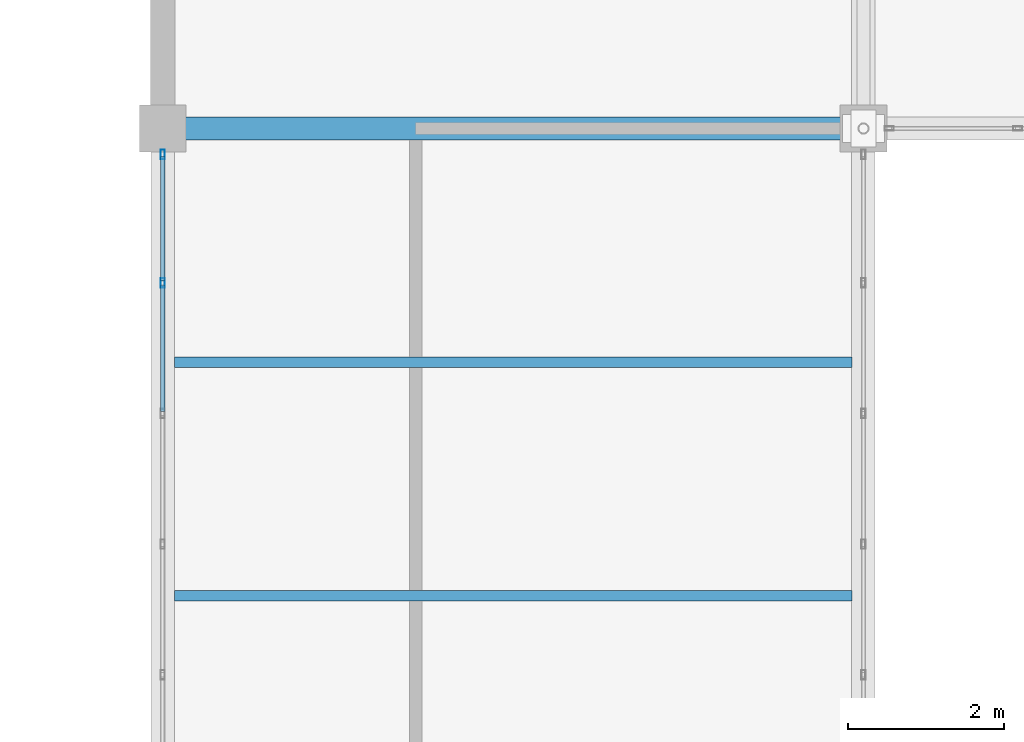
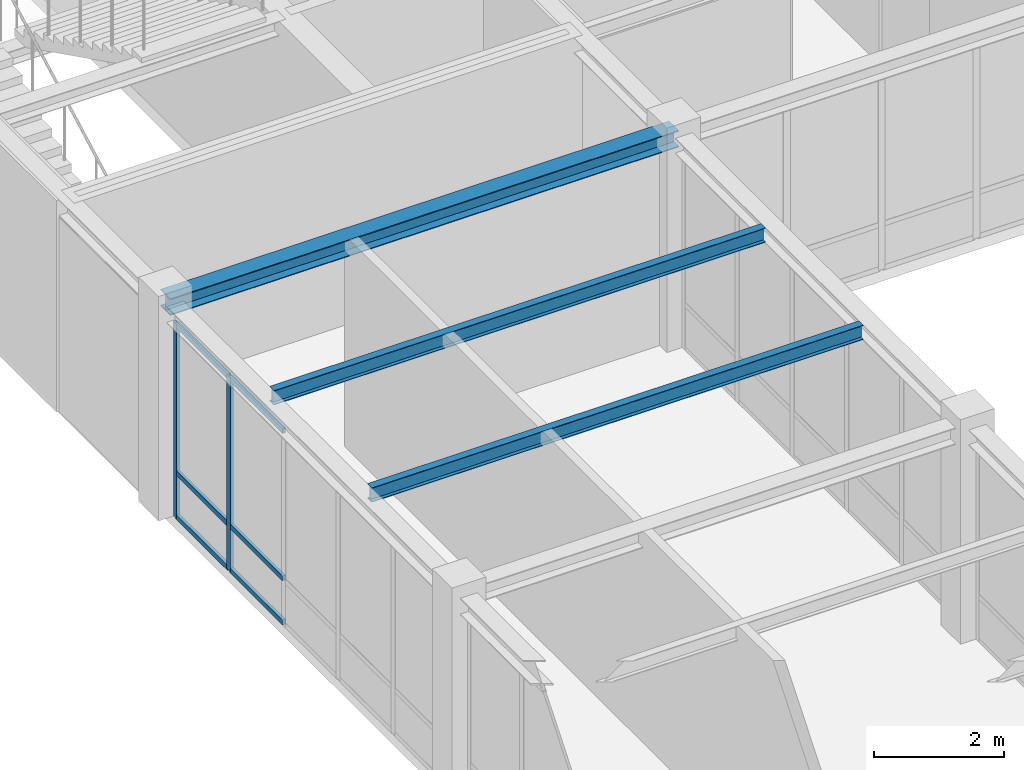
# One storey, part 32 of 130: 8 members, 3 beams, 1 element without a shape of its own.
"""IFC4 building model written with IfcOpenShell, lengths in metres."""

from ifc_helpers import new_model, si_unit, direction, frame, origin, origin_2d, place, context, subcontext, project, spatial, hollow_rectangle, i_section, extrude, material, material_profile, profile_set, type_object, element, aggregate, save


model = new_model("IFC4")

# Units and contexts
model_context = context("Model", 3, precision=1e-05, world=origin(), true_north=direction((0.0, 1.0)))
body_context = subcontext(model_context, "Body", "Model", "MODEL_VIEW")
ifc_project = project(units=[si_unit("LENGTHUNIT", "METRE"), si_unit("AREAUNIT", "SQUARE_METRE"), si_unit("VOLUMEUNIT", "CUBIC_METRE"), si_unit("PLANEANGLEUNIT", "RADIAN"), si_unit("MASSUNIT", "GRAM", prefix="KILO")], contexts=[model_context])

# Site, building, storey
site_placement = place(None, origin())
site = spatial("IfcSite", under=ifc_project, at=site_placement, CompositionType="ELEMENT")
building_placement = place(site_placement, origin())
building = spatial("IfcBuilding", under=site, at=building_placement, Name="Lykobir Media Centre", CompositionType="ELEMENT")
storey_placement = place(building_placement, frame((0.0, 0.0, 19.199951171875)))
storey = spatial("IfcBuildingStorey", under=building, at=storey_placement, Name="L04", CompositionType="ELEMENT", Elevation=19.199951171875)

# Curtain wall, members
ifc_material_1 = material(Name="Anodized Aluminium AW-6060", Category="aluminium")
curtain_wall_type = type_object("IfcCurtainWallType", Name="CW-COURT-B", PredefinedType="NOTDEFINED", material=ifc_material_1)
curtain_wall_placement = place(storey_placement, origin())
curtain_wall = element("IfcCurtainWall", 1, at=curtain_wall_placement, inside=storey, type_object=curtain_wall_type, Name="Curtain wall CW2-L04-0168", PredefinedType="NOTDEFINED")
ifc_material_profile_1 = material_profile(ifc_material_1, hollow_rectangle(XDim=0.054931640625, YDim=0.1201171875, WallThickness=0.003173828125, at=origin_2d()), Name="ALU MULLION 55x120")
ifc_profile_set_1 = profile_set([ifc_material_profile_1], Name="Anodized Aluminium AW-6060")
member_type_1 = type_object("IfcMemberType", Name="CWM-120", PredefinedType="MULLION", material=ifc_profile_set_1)
member_1_placement = place(storey_placement, frame((27.0, 61.01708984375, 0.0), z_axis=(0.0, 0.0, 1.0), x_axis=(-1.0, 0.0, 0.0)))
member_1 = element("IfcMember", 2, at=member_1_placement, type_object=member_type_1, Name="CW2-L04-0168 mullion 5", PredefinedType="MULLION", context=body_context, shape_type="SweptSolid", body=[
    extrude(hollow_rectangle(XDim=0.054931640625, YDim=0.1201171875, WallThickness=0.003173828125, at=origin_2d()), origin(), (0.0, 0.0, 1.0), 3.635009765625),
])
member_2_placement = place(storey_placement, frame((27.0, 62.66748046875, 0.0), z_axis=(0.0, 0.0, 1.0), x_axis=(-1.0, 0.0, 0.0)))
member_2 = element("IfcMember", 3, at=member_2_placement, type_object=member_type_1, Name="CW2-L04-0168 mullion 6", PredefinedType="MULLION", context=body_context, shape_type="SweptSolid", body=[
    extrude(hollow_rectangle(XDim=0.054931640625, YDim=0.1201171875, WallThickness=0.003173828125, at=origin_2d()), origin(), (0.0, 0.0, 1.0), 3.635009765625),
])
ifc_material_profile_2 = material_profile(ifc_material_1, hollow_rectangle(XDim=0.054931640625, YDim=0.094970703125, WallThickness=0.0029296875, at=origin_2d()), Name="ALU TRANSOM 55x95")
ifc_profile_set_2 = profile_set([ifc_material_profile_2], Name="Anodized Aluminium AW-6060")
member_type_2 = type_object("IfcMemberType", Name="CWT-095", PredefinedType="USERDEFINED", material=ifc_profile_set_2)
member_3_placement = place(storey_placement, frame((27.0, 59.366455078125, 0.027587890625), z_axis=(0.0, 1.0, 0.0), x_axis=(-1.0, 0.0, 0.0)))
member_3 = element("IfcMember", 4, at=member_3_placement, type_object=member_type_2, Name="CW2-L04-0168 transom 4.1", ObjectType="TRANSOM", PredefinedType="USERDEFINED", context=body_context, shape_type="SweptSolid", body=[
    extrude(hollow_rectangle(XDim=0.054931640625, YDim=0.094970703125, WallThickness=0.0029296875, at=origin_2d()), origin(), (0.0, 0.0, 1.0), 1.623046875),
])
member_4_placement = place(storey_placement, frame((27.0, 59.366455078125, 0.85009765625), z_axis=(0.0, 1.0, 0.0), x_axis=(-1.0, 0.0, 0.0)))
member_4 = element("IfcMember", 5, at=member_4_placement, type_object=member_type_2, Name="CW2-L04-0168 transom 4.2", ObjectType="TRANSOM", PredefinedType="USERDEFINED", context=body_context, shape_type="SweptSolid", body=[
    extrude(hollow_rectangle(XDim=0.054931640625, YDim=0.094970703125, WallThickness=0.0029296875, at=origin_2d()), origin(), (0.0, 0.0, 1.0), 1.623046875),
])
member_5_placement = place(storey_placement, frame((27.0, 59.366455078125, 3.607666015625), z_axis=(0.0, 1.0, 0.0), x_axis=(-1.0, 0.0, 0.0)))
member_5 = element("IfcMember", 6, at=member_5_placement, type_object=member_type_2, Name="CW2-L04-0168 transom 4.3", ObjectType="TRANSOM", PredefinedType="USERDEFINED", context=body_context, shape_type="SweptSolid", body=[
    extrude(hollow_rectangle(XDim=0.054931640625, YDim=0.094970703125, WallThickness=0.0029296875, at=origin_2d()), origin(), (0.0, 0.0, 1.0), 1.623046875),
])
member_6_placement = place(storey_placement, frame((27.0, 61.04443359375, 0.027587890625), z_axis=(0.0, 1.0, 0.0), x_axis=(-1.0, 0.0, 0.0)))
member_6 = element("IfcMember", 7, at=member_6_placement, type_object=member_type_2, Name="CW2-L04-0168 transom 5.1", ObjectType="TRANSOM", PredefinedType="USERDEFINED", context=body_context, shape_type="SweptSolid", body=[
    extrude(hollow_rectangle(XDim=0.054931640625, YDim=0.094970703125, WallThickness=0.0029296875, at=origin_2d()), origin(), (0.0, 0.0, 1.0), 1.595458984375),
])
member_7_placement = place(storey_placement, frame((27.0, 61.04443359375, 0.85009765625), z_axis=(0.0, 1.0, 0.0), x_axis=(-1.0, 0.0, 0.0)))
member_7 = element("IfcMember", 8, at=member_7_placement, type_object=member_type_2, Name="CW2-L04-0168 transom 5.2", ObjectType="TRANSOM", PredefinedType="USERDEFINED", context=body_context, shape_type="SweptSolid", body=[
    extrude(hollow_rectangle(XDim=0.054931640625, YDim=0.094970703125, WallThickness=0.0029296875, at=origin_2d()), origin(), (0.0, 0.0, 1.0), 1.595458984375),
])
member_8_placement = place(storey_placement, frame((27.0, 61.04443359375, 3.607666015625), z_axis=(0.0, 1.0, 0.0), x_axis=(-1.0, 0.0, 0.0)))
member_8 = element("IfcMember", 9, at=member_8_placement, type_object=member_type_2, Name="CW2-L04-0168 transom 5.3", ObjectType="TRANSOM", PredefinedType="USERDEFINED", context=body_context, shape_type="SweptSolid", body=[
    extrude(hollow_rectangle(XDim=0.054931640625, YDim=0.094970703125, WallThickness=0.0029296875, at=origin_2d()), origin(), (0.0, 0.0, 1.0), 1.595458984375),
])
aggregate(curtain_wall, [member_1, member_2, member_3, member_4, member_5, member_6, member_7, member_8])

# Beams
ifc_material_2 = material(Name="Steel S355", Category="steel")
ifc_material_profile_3 = material_profile(ifc_material_2, i_section(OverallWidth=0.135009765625, OverallDepth=0.27001953125, WebThickness=0.006591796875, FlangeThickness=0.01025390625, at=origin_2d()), Name="IPE 270")
ifc_profile_set_3 = profile_set([ifc_material_profile_3], Name="Steel S355")
beam_type_1 = type_object("IfcBeamType", Name="JS-IPE270", PredefinedType="JOIST", material=ifc_profile_set_3)
for number, where, z_axis, x_axis, name in (
    (10, (27.14990234375, 57.0, 3.824951171875), (1.0, 0.0, 0.0), (0.0, 1.0, 0.0), "Beam BM-L04-0272-0570-0358-0570-2302"),
    (11, (27.14990234375, 60.0, 3.824951171875), (1.0, 0.0, 0.0), (0.0, 1.0, 0.0), "Beam BM-L04-0272-0600-0358-0600-2302"),
):
    element("IfcBeam", number, at=place(storey_placement, frame(where, z_axis=z_axis, x_axis=x_axis)), inside=storey, type_object=beam_type_1, Name=name, PredefinedType="JOIST", context=body_context, shape_type="SweptSolid", body=[
        extrude(i_section(OverallWidth=0.135009765625, OverallDepth=0.27001953125, WebThickness=0.006591796875, FlangeThickness=0.01025390625, at=origin_2d()), origin(), (0.0, 0.0, 1.0), 8.7001953125),
    ])
ifc_material_profile_4 = material_profile(ifc_material_2, i_section(OverallWidth=0.300048828125, OverallDepth=0.31005859375, WebThickness=0.009033203125, FlangeThickness=0.015380859375, at=origin_2d()), Name="HEA 320")
ifc_profile_set_4 = profile_set([ifc_material_profile_4], Name="Steel S355")
beam_type_2 = type_object("IfcBeamType", Name="SP-HEA320", PredefinedType="SPANDREL", material=ifc_profile_set_4)
beam_placement = place(storey_placement, frame((27.0, 63.0, 3.804931640625), z_axis=(1.0, 0.0, 0.0), x_axis=(0.0, 1.0, 0.0)))
element("IfcBeam", 12, at=beam_placement, inside=storey, type_object=beam_type_2, Name="Beam BM-L04-0270-0630-0360-0630-2300", PredefinedType="SPANDREL", context=body_context, shape_type="SweptSolid", body=[
    extrude(i_section(OverallWidth=0.300048828125, OverallDepth=0.31005859375, WebThickness=0.009033203125, FlangeThickness=0.015380859375, at=origin_2d()), origin(), (0.0, 0.0, 1.0), 9.0),
])

save(model, "model.ifc")
